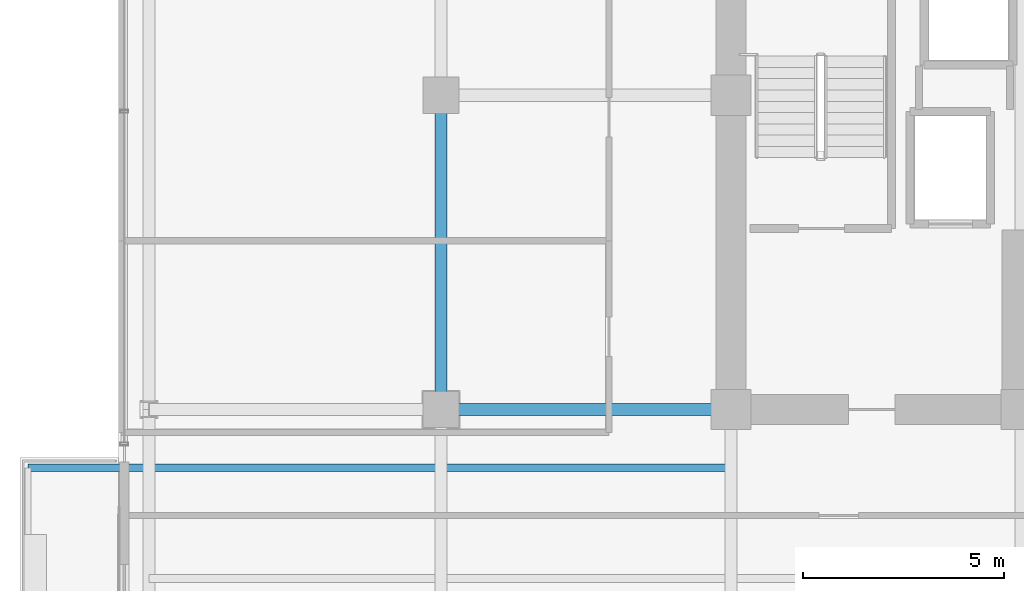
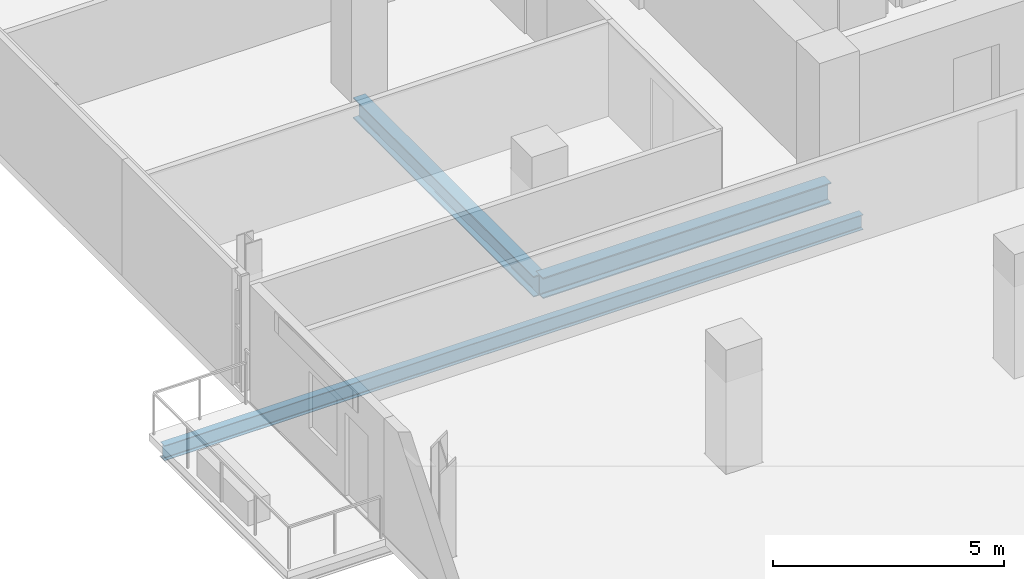
# One storey, part 7 of 28: 3 beams.
"""IFC4 building model written with IfcOpenShell, lengths in metres."""

import ifcopenshell
import ifcopenshell.guid

model = None  # the IFC model being written
_history = None  # IfcOwnerHistory: only IFC2X3 demands one
_inside = {}  # id of a spatial element -> (the spatial element, [elements in it])
_under = {}  # id of a project, library or spatial element -> (it, [spatial elements below it])
_declared = {}  # id of a project -> (the project, [libraries it declares])
_typed = {}  # id of a type object -> (the type object, [elements of that type])
_made_of = {}  # id of a material, layer set ... -> (it, [elements and type objects made of it])


def new_model(schema):
    """Start an empty IFC model of exactly this schema.

    Asked for "IFC4X3", IfcOpenShell would pick the latest addendum, in which some entities
    have other attributes; the version numbers below select the first issue.
    IFC2X3 requires an IfcOwnerHistory on every rooted entity: one is made here for all.
    """
    global model, _history
    if schema == "IFC4X3":
        model = ifcopenshell.file(schema_version=(4, 3, 0, 0))
    else:
        model = ifcopenshell.file(schema=schema)
    _inside.clear()
    _under.clear()
    _declared.clear()
    _typed.clear()
    _made_of.clear()
    _history = None
    if model.schema == "IFC2X3":
        org = make("IfcOrganization", Name="unknown")
        user = make(
            "IfcPersonAndOrganization",
            ThePerson=make("IfcPerson", FamilyName="unknown"),
            TheOrganization=org,
        )
        app = make(
            "IfcApplication",
            ApplicationDeveloper=org,
            Version="unknown",
            ApplicationFullName="unknown",
            ApplicationIdentifier="unknown",
        )
        _history = make(
            "IfcOwnerHistory",
            OwningUser=user,
            OwningApplication=app,
            ChangeAction="ADDED",
            CreationDate=0,
        )
    return model


def make(cls, **values):
    """One entity of the class cls with the attributes given. An attribute that is None is left unset."""
    return model.create_entity(
        cls, **{name: value for name, value in values.items() if value is not None}
    )


def rooted(cls, **values):
    """An entity with a GlobalId (a new one), such as an element, a storey or a relation."""
    return make(cls, GlobalId=ifcopenshell.guid.new(), OwnerHistory=_history, **values)


def si_unit(unit_type, name, prefix=None):
    """IfcSIUnit, for example si_unit("LENGTHUNIT", "METRE", prefix="MILLI")."""
    return make("IfcSIUnit", UnitType=unit_type, Prefix=prefix, Name=name)


def assignment(units):
    """IfcUnitAssignment: the units of a project."""
    return None if units is None else make("IfcUnitAssignment", Units=units)


def point(xyz):
    """IfcCartesianPoint."""
    return None if xyz is None else make("IfcCartesianPoint", Coordinates=xyz)


def direction(xyz):
    """IfcDirection."""
    return None if xyz is None else make("IfcDirection", DirectionRatios=xyz)


def frame(location, z_axis=None, x_axis=None):
    """IfcAxis2Placement3D, a coordinate frame: its origin and axes. An axis left out is left unset."""
    return make(
        "IfcAxis2Placement3D",
        Location=point(location),
        Axis=direction(z_axis),
        RefDirection=direction(x_axis),
    )


def frame_2d(location, x_axis=None):
    """IfcAxis2Placement2D, a coordinate frame in the plane: its origin and x axis."""
    return make(
        "IfcAxis2Placement2D", Location=point(location), RefDirection=direction(x_axis)
    )


def origin():
    """The frame at (0, 0, 0) with its axes left unset."""
    return frame((0.0, 0.0, 0.0))


def origin_2d():
    """The frame at (0, 0) in the plane with its x axis left unset."""
    return frame_2d((0.0, 0.0))


def place(relative_to, where):
    """IfcLocalPlacement: puts the frame where relative to a parent placement (None: the world)."""
    return make(
        "IfcLocalPlacement", PlacementRelTo=relative_to, RelativePlacement=where
    )


def context(
    kind, dimensions, precision=None, world=None, true_north=None, identifier=None
):
    """IfcGeometricRepresentationContext, for example the 3D "Model" context."""
    return make(
        "IfcGeometricRepresentationContext",
        ContextIdentifier=identifier,
        ContextType=kind,
        CoordinateSpaceDimension=dimensions,
        Precision=precision,
        WorldCoordinateSystem=world,
        TrueNorth=true_north,
    )


def subcontext(parent, identifier, kind, view, scale=None):
    """IfcGeometricRepresentationSubContext, for example "Body" below "Model"."""
    return make(
        "IfcGeometricRepresentationSubContext",
        ContextIdentifier=identifier,
        ContextType=kind,
        ParentContext=parent,
        TargetScale=scale,
        TargetView=view,
    )


def project(units=None, contexts=None):
    """IfcProject with its units and contexts."""
    return rooted(
        "IfcProject",
        Name="project",
        RepresentationContexts=contexts,
        UnitsInContext=assignment(units),
    )


def spatial(cls, under=None, at=None, **own):
    """A site, building, storey or space (cls), placed at a placement, below another one or the project."""
    s = rooted(cls, ObjectPlacement=at, **own)
    if under is not None:
        _under.setdefault(under.id(), (under, []))[1].append(s)
    return s


def profile(cls, at=None, kind="AREA", **sizes):
    """A parametric profile (cls). Its sizes go by their IFC names, for example OverallWidth=200.0."""
    return make(cls, ProfileType=kind, Position=at, **sizes)


def i_section(**sizes):
    """IfcIShapeProfileDef."""
    return profile("IfcIShapeProfileDef", **sizes)


def extrude(swept, where, along, depth):
    """IfcExtrudedAreaSolid: the profile swept, set in the frame where, extruded along a direction by depth."""
    return make(
        "IfcExtrudedAreaSolid",
        SweptArea=swept,
        Position=where,
        ExtrudedDirection=direction(along),
        Depth=depth,
    )


def shape(context_of_items, identifier, shape_type, items):
    """IfcShapeRepresentation: the items that make up one representation, for example the "Body"."""
    return make(
        "IfcShapeRepresentation",
        ContextOfItems=context_of_items,
        RepresentationIdentifier=identifier,
        RepresentationType=shape_type,
        Items=items,
    )


def material(Name=None, Category=None):
    """IfcMaterial."""
    return make("IfcMaterial", Name=Name, Category=Category)


def material_profile(
    of_material, cross_section, Name=None, Category=None, Priority=None
):
    """IfcMaterialProfile: a cross section and its material."""
    return make(
        "IfcMaterialProfile",
        Name=Name,
        Material=of_material,
        Profile=cross_section,
        Priority=Priority,
        Category=Category,
    )


def profile_set(profiles, Name=None, composite=None):
    """IfcMaterialProfileSet."""
    return make(
        "IfcMaterialProfileSet",
        Name=Name,
        MaterialProfiles=profiles,
        CompositeProfile=composite,
    )


def made_of(thing, what):
    """Note that an element or type object is made of a material, layer set ...; save() writes the relation."""
    if what is not None:
        _made_of.setdefault(what.id(), (what, []))[1].append(thing)
    return thing


def type_object(cls, material=None, **own):
    """A type object (cls), such as IfcWallType, which elements share."""
    return made_of(rooted(cls, **own), material)


def element(
    cls,
    number,
    at=None,
    inside=None,
    cuts=None,
    type_object=None,
    material=None,
    context=None,
    identifier="Body",
    shape_type=None,
    held_by="IfcProductDefinitionShape",
    body=None,
    shapes=None,
    **own,
):
    """One element of the class cls, such as IfcWall. Its Tag is "e" and its number.

    at: its placement. inside: the storey or other place that contains it. cuts: it is an
    opening in that element (IfcRelVoidsElement). A single representation is given by context,
    identifier, shape_type and body (its items); several are given by shapes. held_by: the class
    of the entity that holds the representations. save() writes the other relations.
    """
    e = rooted(cls, Tag="e%d" % number, ObjectPlacement=at, **own)
    if body is not None:
        shapes = [shape(context, identifier, shape_type, body)]
    if shapes is not None:
        e.Representation = make(held_by, Representations=shapes)
    if inside is not None:
        _inside.setdefault(inside.id(), (inside, []))[1].append(e)
    if cuts is not None:
        rooted(
            "IfcRelVoidsElement", RelatingBuildingElement=cuts, RelatedOpeningElement=e
        )
    if type_object is not None:
        _typed.setdefault(type_object.id(), (type_object, []))[1].append(e)
    return made_of(e, material)


def aggregate(whole, parts):
    """IfcRelAggregates: a whole, such as a stair, and the parts it consists of."""
    return rooted("IfcRelAggregates", RelatingObject=whole, RelatedObjects=parts)


def save(model, path):
    """Write the relations noted so far, then the file.

    IfcRelAggregates (storeys below a building ...), IfcRelContainedInSpatialStructure (elements
    in a storey), IfcRelDefinesByType, IfcRelAssociatesMaterial and IfcRelDeclares: one each for
    every whole, place, type object, material and project.
    """
    for whole, parts in _under.values():
        aggregate(whole, parts)
    for where, things in _inside.values():
        rooted(
            "IfcRelContainedInSpatialStructure",
            RelatedElements=things,
            RelatingStructure=where,
        )
    for kind, things in _typed.values():
        rooted("IfcRelDefinesByType", RelatedObjects=things, RelatingType=kind)
    for what, things in _made_of.values():
        rooted("IfcRelAssociatesMaterial", RelatedObjects=things, RelatingMaterial=what)
    for by, libraries in _declared.values():
        rooted("IfcRelDeclares", RelatingContext=by, RelatedDefinitions=libraries)
    model.write(path)


model = new_model("IFC4")

# Units and contexts
model_context = context("Model", 3, precision=1e-05, world=origin(), true_north=direction((0.0, 1.0)))
body_context = subcontext(model_context, "Body", "Model", "MODEL_VIEW")
ifc_project = project(units=[si_unit("LENGTHUNIT", "METRE"), si_unit("AREAUNIT", "SQUARE_METRE"), si_unit("VOLUMEUNIT", "CUBIC_METRE"), si_unit("PLANEANGLEUNIT", "RADIAN"), si_unit("MASSUNIT", "GRAM", prefix="KILO")], contexts=[model_context])

# Site, building, storey
site_placement = place(None, origin())
site = spatial("IfcSite", under=ifc_project, at=site_placement, CompositionType="ELEMENT")
building_placement = place(site_placement, origin())
building = spatial("IfcBuilding", under=site, at=building_placement, Name="Zarnakvel Exchange Tower", CompositionType="ELEMENT")
storey_placement = place(building_placement, frame((0.0, 0.0, 103.300048828125)))
storey = spatial("IfcBuildingStorey", under=building, at=storey_placement, Name="L28", CompositionType="ELEMENT", Elevation=103.300048828125)

# Beams
ifc_material = material(Name="Steel S355", Category="steel")
ifc_material_profile_1 = material_profile(ifc_material, i_section(OverallWidth=0.179931640625, OverallDepth=0.39990234375, WebThickness=0.008544921875, FlangeThickness=0.013427734375, FilletRadius=0.02099609375, at=origin_2d()))
ifc_profile_set_1 = profile_set([ifc_material_profile_1], Name="Steel S355")
beam_type_1 = type_object("IfcBeamType", Name="B-06", PredefinedType="JOIST", material=ifc_profile_set_1)
beam_1_placement = place(storey_placement, frame((-14.39990234375, -2.64990234375, -0.425048828125), z_axis=(-1.0, 0.0, 0.0), x_axis=(0.0, -1.0, 0.0)))
element("IfcBeam", 1, at=beam_1_placement, inside=storey, type_object=beam_type_1, Name="L28 Continuous West Loggia Beam N", PredefinedType="JOIST", context=body_context, shape_type="SweptSolid", body=[
    extrude(i_section(OverallWidth=0.179931640625, OverallDepth=0.39990234375, WebThickness=0.008544921875, FlangeThickness=0.013427734375, FilletRadius=0.02099609375, at=origin_2d()), origin(), (0.0, 0.0, 1.0), 17.4501953125),
])
ifc_material_profile_2 = material_profile(ifc_material, i_section(OverallWidth=0.300048828125, OverallDepth=0.550048828125, WebThickness=0.014892578125, FlangeThickness=0.029052734375, FilletRadius=0.027099609375, at=origin_2d()))
ifc_profile_set_2 = profile_set([ifc_material_profile_2], Name="Steel S355")
beam_type_2 = type_object("IfcBeamType", Name="G-05", PredefinedType="BEAM", material=ifc_profile_set_2)
beam_2_placement = place(storey_placement, frame((-21.60009765625, -1.199951171875, -0.5), z_axis=(1.0, 0.0, 0.0), x_axis=(0.0, 1.0, 0.0)))
element("IfcBeam", 2, at=beam_2_placement, inside=storey, type_object=beam_type_2, Name="L28 Tower E-W Frame Beam", PredefinedType="BEAM", context=body_context, shape_type="SweptSolid", body=[
    extrude(i_section(OverallWidth=0.300048828125, OverallDepth=0.550048828125, WebThickness=0.014892578125, FlangeThickness=0.029052734375, FilletRadius=0.027099609375, at=origin_2d()), origin(), (0.0, 0.0, 1.0), 7.2001953125),
])
beam_3_placement = place(storey_placement, frame((-21.60009765625, -1.199951171875, -0.5), z_axis=(0.0, 1.0, 0.0), x_axis=(-1.0, 0.0, 0.0)))
element("IfcBeam", 3, at=beam_3_placement, inside=storey, type_object=beam_type_2, Name="L28 Tower N-S Frame Beam", PredefinedType="BEAM", context=body_context, shape_type="SweptSolid", body=[
    extrude(i_section(OverallWidth=0.300048828125, OverallDepth=0.550048828125, WebThickness=0.014892578125, FlangeThickness=0.029052734375, FilletRadius=0.027099609375, at=origin_2d()), origin(), (0.0, 0.0, 1.0), 7.800048828125),
])

save(model, "model.ifc")
